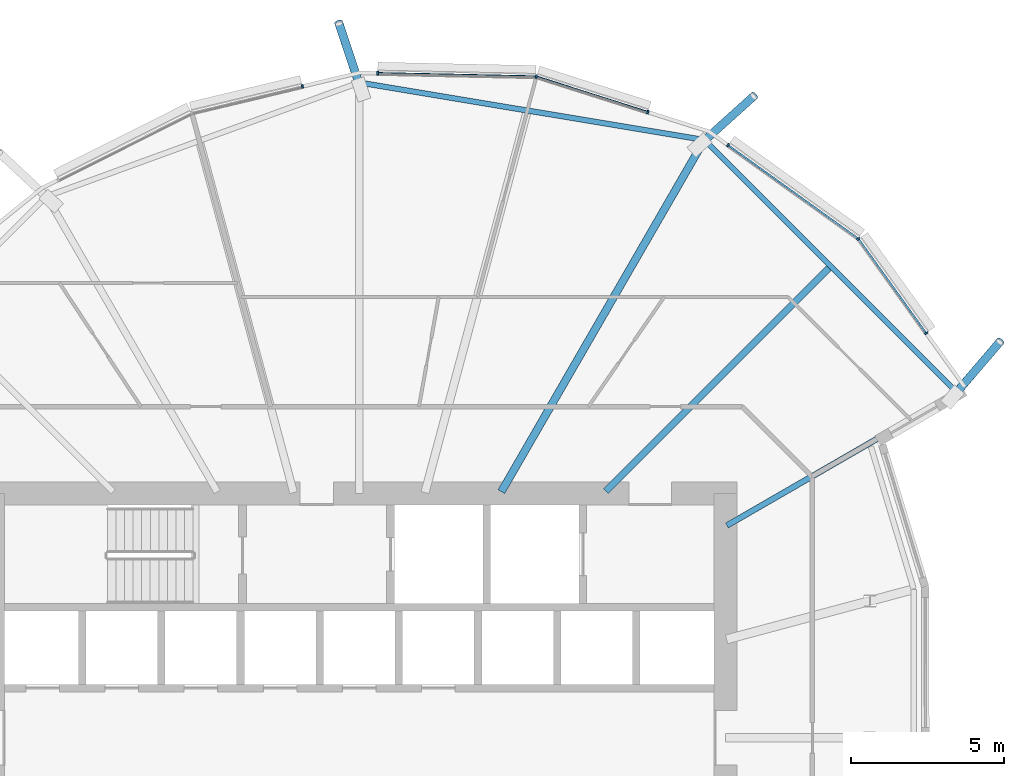
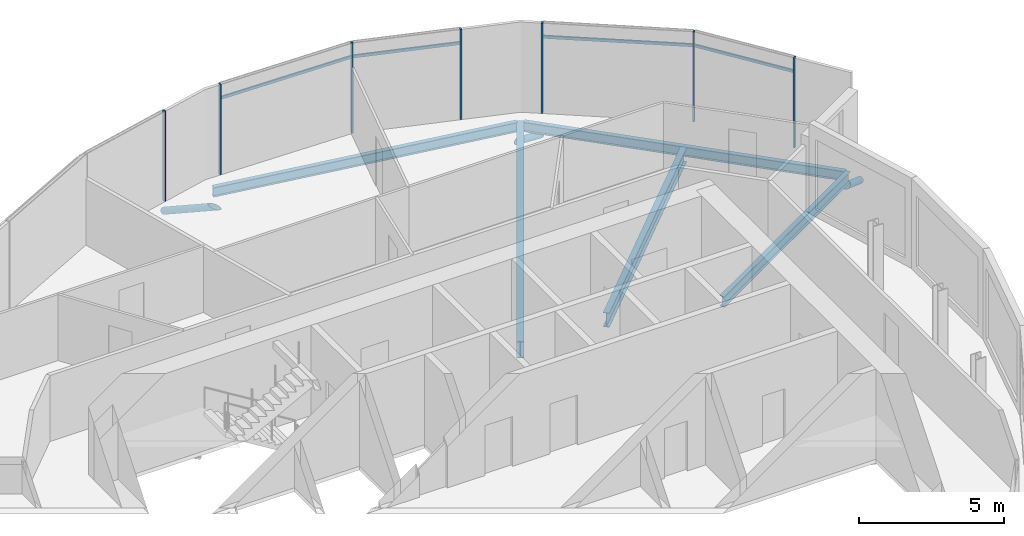
# One storey, part 18 of 38: 14 members, 5 beams, 1 element without a shape of its own.
"""IFC4 building model written with IfcOpenShell, lengths in metres."""

import ifcopenshell
import ifcopenshell.guid

model = None  # the IFC model being written
_history = None  # IfcOwnerHistory: only IFC2X3 demands one
_inside = {}  # id of a spatial element -> (the spatial element, [elements in it])
_under = {}  # id of a project, library or spatial element -> (it, [spatial elements below it])
_declared = {}  # id of a project -> (the project, [libraries it declares])
_typed = {}  # id of a type object -> (the type object, [elements of that type])
_made_of = {}  # id of a material, layer set ... -> (it, [elements and type objects made of it])


def new_model(schema):
    """Start an empty IFC model of exactly this schema.

    Asked for "IFC4X3", IfcOpenShell would pick the latest addendum, in which some entities
    have other attributes; the version numbers below select the first issue.
    IFC2X3 requires an IfcOwnerHistory on every rooted entity: one is made here for all.
    """
    global model, _history
    if schema == "IFC4X3":
        model = ifcopenshell.file(schema_version=(4, 3, 0, 0))
    else:
        model = ifcopenshell.file(schema=schema)
    _inside.clear()
    _under.clear()
    _declared.clear()
    _typed.clear()
    _made_of.clear()
    _history = None
    if model.schema == "IFC2X3":
        org = make("IfcOrganization", Name="unknown")
        user = make(
            "IfcPersonAndOrganization",
            ThePerson=make("IfcPerson", FamilyName="unknown"),
            TheOrganization=org,
        )
        app = make(
            "IfcApplication",
            ApplicationDeveloper=org,
            Version="unknown",
            ApplicationFullName="unknown",
            ApplicationIdentifier="unknown",
        )
        _history = make(
            "IfcOwnerHistory",
            OwningUser=user,
            OwningApplication=app,
            ChangeAction="ADDED",
            CreationDate=0,
        )
    return model


def make(cls, **values):
    """One entity of the class cls with the attributes given. An attribute that is None is left unset."""
    return model.create_entity(
        cls, **{name: value for name, value in values.items() if value is not None}
    )


def rooted(cls, **values):
    """An entity with a GlobalId (a new one), such as an element, a storey or a relation."""
    return make(cls, GlobalId=ifcopenshell.guid.new(), OwnerHistory=_history, **values)


def si_unit(unit_type, name, prefix=None):
    """IfcSIUnit, for example si_unit("LENGTHUNIT", "METRE", prefix="MILLI")."""
    return make("IfcSIUnit", UnitType=unit_type, Prefix=prefix, Name=name)


def assignment(units):
    """IfcUnitAssignment: the units of a project."""
    return None if units is None else make("IfcUnitAssignment", Units=units)


def point(xyz):
    """IfcCartesianPoint."""
    return None if xyz is None else make("IfcCartesianPoint", Coordinates=xyz)


def direction(xyz):
    """IfcDirection."""
    return None if xyz is None else make("IfcDirection", DirectionRatios=xyz)


def frame(location, z_axis=None, x_axis=None):
    """IfcAxis2Placement3D, a coordinate frame: its origin and axes. An axis left out is left unset."""
    return make(
        "IfcAxis2Placement3D",
        Location=point(location),
        Axis=direction(z_axis),
        RefDirection=direction(x_axis),
    )


def frame_2d(location, x_axis=None):
    """IfcAxis2Placement2D, a coordinate frame in the plane: its origin and x axis."""
    return make(
        "IfcAxis2Placement2D", Location=point(location), RefDirection=direction(x_axis)
    )


def origin():
    """The frame at (0, 0, 0) with its axes left unset."""
    return frame((0.0, 0.0, 0.0))


def origin_2d():
    """The frame at (0, 0) in the plane with its x axis left unset."""
    return frame_2d((0.0, 0.0))


def place(relative_to, where):
    """IfcLocalPlacement: puts the frame where relative to a parent placement (None: the world)."""
    return make(
        "IfcLocalPlacement", PlacementRelTo=relative_to, RelativePlacement=where
    )


def context(
    kind, dimensions, precision=None, world=None, true_north=None, identifier=None
):
    """IfcGeometricRepresentationContext, for example the 3D "Model" context."""
    return make(
        "IfcGeometricRepresentationContext",
        ContextIdentifier=identifier,
        ContextType=kind,
        CoordinateSpaceDimension=dimensions,
        Precision=precision,
        WorldCoordinateSystem=world,
        TrueNorth=true_north,
    )


def subcontext(parent, identifier, kind, view, scale=None):
    """IfcGeometricRepresentationSubContext, for example "Body" below "Model"."""
    return make(
        "IfcGeometricRepresentationSubContext",
        ContextIdentifier=identifier,
        ContextType=kind,
        ParentContext=parent,
        TargetScale=scale,
        TargetView=view,
    )


def project(units=None, contexts=None):
    """IfcProject with its units and contexts."""
    return rooted(
        "IfcProject",
        Name="project",
        RepresentationContexts=contexts,
        UnitsInContext=assignment(units),
    )


def spatial(cls, under=None, at=None, **own):
    """A site, building, storey or space (cls), placed at a placement, below another one or the project."""
    s = rooted(cls, ObjectPlacement=at, **own)
    if under is not None:
        _under.setdefault(under.id(), (under, []))[1].append(s)
    return s


def profile(cls, at=None, kind="AREA", **sizes):
    """A parametric profile (cls). Its sizes go by their IFC names, for example OverallWidth=200.0."""
    return make(cls, ProfileType=kind, Position=at, **sizes)


def rectangle(**sizes):
    """IfcRectangleProfileDef."""
    return profile("IfcRectangleProfileDef", **sizes)


def hollow_circle(**sizes):
    """IfcCircleHollowProfileDef."""
    return profile("IfcCircleHollowProfileDef", **sizes)


def i_section(**sizes):
    """IfcIShapeProfileDef."""
    return profile("IfcIShapeProfileDef", **sizes)


def extrude(swept, where, along, depth):
    """IfcExtrudedAreaSolid: the profile swept, set in the frame where, extruded along a direction by depth."""
    return make(
        "IfcExtrudedAreaSolid",
        SweptArea=swept,
        Position=where,
        ExtrudedDirection=direction(along),
        Depth=depth,
    )


def clip(a, b, op="DIFFERENCE"):
    """IfcBooleanClippingResult: the solid a cut by the half space b."""
    return make(
        "IfcBooleanClippingResult", Operator=op, FirstOperand=a, SecondOperand=b
    )


def halfspace(plane, agree):
    """IfcHalfSpaceSolid: all space on one side of the plane z = 0 of the frame plane."""
    return make(
        "IfcHalfSpaceSolid",
        BaseSurface=make("IfcPlane", Position=plane),
        AgreementFlag=agree,
    )


def shape(context_of_items, identifier, shape_type, items):
    """IfcShapeRepresentation: the items that make up one representation, for example the "Body"."""
    return make(
        "IfcShapeRepresentation",
        ContextOfItems=context_of_items,
        RepresentationIdentifier=identifier,
        RepresentationType=shape_type,
        Items=items,
    )


def material(Name=None, Category=None):
    """IfcMaterial."""
    return make("IfcMaterial", Name=Name, Category=Category)


def material_profile(
    of_material, cross_section, Name=None, Category=None, Priority=None
):
    """IfcMaterialProfile: a cross section and its material."""
    return make(
        "IfcMaterialProfile",
        Name=Name,
        Material=of_material,
        Profile=cross_section,
        Priority=Priority,
        Category=Category,
    )


def profile_set(profiles, Name=None, composite=None):
    """IfcMaterialProfileSet."""
    return make(
        "IfcMaterialProfileSet",
        Name=Name,
        MaterialProfiles=profiles,
        CompositeProfile=composite,
    )


def made_of(thing, what):
    """Note that an element or type object is made of a material, layer set ...; save() writes the relation."""
    if what is not None:
        _made_of.setdefault(what.id(), (what, []))[1].append(thing)
    return thing


def type_object(cls, material=None, **own):
    """A type object (cls), such as IfcWallType, which elements share."""
    return made_of(rooted(cls, **own), material)


def element(
    cls,
    number,
    at=None,
    inside=None,
    cuts=None,
    type_object=None,
    material=None,
    context=None,
    identifier="Body",
    shape_type=None,
    held_by="IfcProductDefinitionShape",
    body=None,
    shapes=None,
    **own,
):
    """One element of the class cls, such as IfcWall. Its Tag is "e" and its number.

    at: its placement. inside: the storey or other place that contains it. cuts: it is an
    opening in that element (IfcRelVoidsElement). A single representation is given by context,
    identifier, shape_type and body (its items); several are given by shapes. held_by: the class
    of the entity that holds the representations. save() writes the other relations.
    """
    e = rooted(cls, Tag="e%d" % number, ObjectPlacement=at, **own)
    if body is not None:
        shapes = [shape(context, identifier, shape_type, body)]
    if shapes is not None:
        e.Representation = make(held_by, Representations=shapes)
    if inside is not None:
        _inside.setdefault(inside.id(), (inside, []))[1].append(e)
    if cuts is not None:
        rooted(
            "IfcRelVoidsElement", RelatingBuildingElement=cuts, RelatedOpeningElement=e
        )
    if type_object is not None:
        _typed.setdefault(type_object.id(), (type_object, []))[1].append(e)
    return made_of(e, material)


def aggregate(whole, parts):
    """IfcRelAggregates: a whole, such as a stair, and the parts it consists of."""
    return rooted("IfcRelAggregates", RelatingObject=whole, RelatedObjects=parts)


def save(model, path):
    """Write the relations noted so far, then the file.

    IfcRelAggregates (storeys below a building ...), IfcRelContainedInSpatialStructure (elements
    in a storey), IfcRelDefinesByType, IfcRelAssociatesMaterial and IfcRelDeclares: one each for
    every whole, place, type object, material and project.
    """
    for whole, parts in _under.values():
        aggregate(whole, parts)
    for where, things in _inside.values():
        rooted(
            "IfcRelContainedInSpatialStructure",
            RelatedElements=things,
            RelatingStructure=where,
        )
    for kind, things in _typed.values():
        rooted("IfcRelDefinesByType", RelatedObjects=things, RelatingType=kind)
    for what, things in _made_of.values():
        rooted("IfcRelAssociatesMaterial", RelatedObjects=things, RelatingMaterial=what)
    for by, libraries in _declared.values():
        rooted("IfcRelDeclares", RelatingContext=by, RelatedDefinitions=libraries)
    model.write(path)


model = new_model("IFC4")

# Units and contexts
model_context = context("Model", 3, precision=1e-05, world=origin(), true_north=direction((0.0, 1.0)))
body_context = subcontext(model_context, "Body", "Model", "MODEL_VIEW")
ifc_project = project(units=[si_unit("LENGTHUNIT", "METRE"), si_unit("AREAUNIT", "SQUARE_METRE"), si_unit("VOLUMEUNIT", "CUBIC_METRE"), si_unit("PLANEANGLEUNIT", "RADIAN"), si_unit("MASSUNIT", "GRAM", prefix="KILO")], contexts=[model_context])

# Site, building, storey
site_placement = place(None, origin())
site = spatial("IfcSite", under=ifc_project, at=site_placement, CompositionType="ELEMENT")
building_placement = place(site_placement, origin())
building = spatial("IfcBuilding", under=site, at=building_placement, Name="Rimbun Link Towers", CompositionType="ELEMENT")
storey_placement = place(building_placement, frame((0.0, 0.0, 119.60009765625)))
storey = spatial("IfcBuildingStorey", under=building, at=storey_placement, Name="L29", CompositionType="ELEMENT", Elevation=119.60009765625)

# Curtain wall, members
ifc_material_1 = material(Name="Aluminium 6063-T6 and low-iron glass", Category="aluminium")
curtain_wall_type = type_object("IfcCurtainWallType", Name="CW1-Z2 unitised vision wall (zone 2)", PredefinedType="NOTDEFINED", material=ifc_material_1)
curtain_wall_placement = place(storey_placement, origin())
curtain_wall = element("IfcCurtainWall", 1, at=curtain_wall_placement, inside=storey, type_object=curtain_wall_type, Name="CW1 L29 T2", PredefinedType="NOTDEFINED")
ifc_material_2 = material(Name="Aluminium 6063-T6", Category="aluminium")
ifc_material_profile_1 = material_profile(ifc_material_2, rectangle(XDim=0.1201171875, YDim=0.06005859375, at=origin_2d()), Name="MULLION 60X120")
ifc_profile_set_1 = profile_set([ifc_material_profile_1], Name="Aluminium 6063-T6")
member_type_1 = type_object("IfcMemberType", Name="CW1 mullion 60X120", PredefinedType="MULLION", material=ifc_profile_set_1)
member_1_placement = place(storey_placement, frame((43.832763671875, 19.42333984375, 0.0), z_axis=(0.0, 0.0, 1.0), x_axis=(0.583004026034, 0.812469264421, 0.0)))
member_1 = element("IfcMember", 2, at=member_1_placement, type_object=member_type_1, Name="CW1 mullion", PredefinedType="MULLION", context=body_context, shape_type="SweptSolid", body=[
    extrude(rectangle(XDim=0.1201171875, YDim=0.06005859375, at=origin_2d()), origin(), (0.0, 0.0, 1.0), 3.7998046875),
])
member_2_placement = place(storey_placement, frame((48.10595703125, 16.35595703125, 0.0), z_axis=(0.0, 0.0, 1.0), x_axis=(0.707106781187, 0.707106781187, 0.0)))
member_2 = element("IfcMember", 3, at=member_2_placement, type_object=member_type_1, Name="CW1 mullion", PredefinedType="MULLION", context=body_context, shape_type="SweptSolid", body=[
    extrude(rectangle(XDim=0.1201171875, YDim=0.06005859375, at=origin_2d()), origin(), (0.0, 0.0, 1.0), 3.7998046875),
])
member_3_placement = place(storey_placement, frame((37.5498046875, 21.66748046875, 0.0), z_axis=(0.0, 0.0, 1.0), x_axis=(0.163751300484, 0.98650165311, 0.0)))
member_3 = element("IfcMember", 4, at=member_3_placement, type_object=member_type_1, Name="CW1 mullion", PredefinedType="MULLION", context=body_context, shape_type="SweptSolid", body=[
    extrude(rectangle(XDim=0.1201171875, YDim=0.06005859375, at=origin_2d()), origin(), (0.0, 0.0, 1.0), 3.7998046875),
])
member_4_placement = place(storey_placement, frame((41.205322265625, 20.505615234375, 0.0), z_axis=(0.0, 0.0, 1.0), x_axis=(0.303073433186, 0.952967205153, 0.0)))
member_4 = element("IfcMember", 5, at=member_4_placement, type_object=member_type_1, Name="CW1 mullion", PredefinedType="MULLION", context=body_context, shape_type="SweptSolid", body=[
    extrude(rectangle(XDim=0.1201171875, YDim=0.06005859375, at=origin_2d()), origin(), (0.0, 0.0, 1.0), 3.7998046875),
])
member_5_placement = place(storey_placement, frame((32.35107421875, 21.777587890625, 0.0), z_axis=(0.0, 0.0, 1.0), x_axis=(0.02106649948, 0.999778076675, 0.0)))
member_5 = element("IfcMember", 6, at=member_5_placement, type_object=member_type_1, Name="CW1 mullion", PredefinedType="MULLION", context=body_context, shape_type="SweptSolid", body=[
    extrude(rectangle(XDim=0.1201171875, YDim=0.06005859375, at=origin_2d()), origin(), (0.0, 0.0, 1.0), 3.7998046875),
])
member_6_placement = place(storey_placement, frame((29.88818359375, 21.3466796875, 0.0), z_axis=(0.0, 0.0, 1.0), x_axis=(-0.232603182737, 0.972571724543, 0.0)))
member_6 = element("IfcMember", 7, at=member_6_placement, type_object=member_type_1, Name="CW1 mullion", PredefinedType="MULLION", context=body_context, shape_type="SweptSolid", body=[
    extrude(rectangle(XDim=0.1201171875, YDim=0.06005859375, at=origin_2d()), origin(), (0.0, 0.0, 1.0), 3.7998046875),
])
member_7_placement = place(storey_placement, frame((50.328125, 13.2607421875, 0.0), z_axis=(0.0, 0.0, 1.0), x_axis=(0.812469264421, 0.583004026034, 0.0)))
member_7 = element("IfcMember", 8, at=member_7_placement, type_object=member_type_1, Name="CW1 mullion", PredefinedType="MULLION", context=body_context, shape_type="SweptSolid", body=[
    extrude(rectangle(XDim=0.1201171875, YDim=0.06005859375, at=origin_2d()), origin(), (0.0, 0.0, 1.0), 3.7998046875),
])
ifc_material_3 = material(Name="Aluminium 6063-T6", Category="aluminium")
ifc_material_profile_2 = material_profile(ifc_material_3, rectangle(XDim=0.06005859375, YDim=0.1201171875, at=origin_2d()), Name="TRANSOM 60X120")
ifc_profile_set_2 = profile_set([ifc_material_profile_2], Name="Aluminium 6063-T6")
member_type_2 = type_object("IfcMemberType", Name="CW1 transom 60X120", PredefinedType="USERDEFINED", material=ifc_profile_set_2)
member_8_placement = place(storey_placement, frame((43.85595703125, 19.404296875, 3.199951171875), z_axis=(0.812460270019, -0.583016560348, 0.0), x_axis=(0.583016560348, 0.812460270019, 0.0)))
member_8 = element("IfcMember", 9, at=member_8_placement, type_object=member_type_2, Name="CW1 transom", ObjectType="TRANSOM", PredefinedType="USERDEFINED", context=body_context, shape_type="SweptSolid", body=[
    extrude(rectangle(XDim=0.06005859375, YDim=0.1201171875, at=origin_2d()), origin(), (0.0, 0.0, 1.0), 5.1904296875),
])
member_9_placement = place(storey_placement, frame((37.586181640625, 21.654541015625, 3.199951171875), z_axis=(0.952960668818, -0.303093984907, 0.0), x_axis=(0.303093984907, 0.952960668818, 0.0)))
member_9 = element("IfcMember", 10, at=member_9_placement, type_object=member_type_2, Name="CW1 transom", ObjectType="TRANSOM", PredefinedType="USERDEFINED", context=body_context, shape_type="SweptSolid", body=[
    extrude(rectangle(XDim=0.06005859375, YDim=0.1201171875, at=origin_2d()), origin(), (0.0, 0.0, 1.0), 3.767333984375),
])
member_10_placement = place(storey_placement, frame((32.381103515625, 21.77490234375, 3.199951171875), z_axis=(0.999778846236, -0.02102994575, 0.0), x_axis=(0.02102994575, 0.999778846236, 0.0)))
member_10 = element("IfcMember", 11, at=member_10_placement, type_object=member_type_2, Name="CW1 transom", ObjectType="TRANSOM", PredefinedType="USERDEFINED", context=body_context, shape_type="SweptSolid", body=[
    extrude(rectangle(XDim=0.06005859375, YDim=0.1201171875, at=origin_2d()), origin(), (0.0, 0.0, 1.0), 5.13134765625),
])
member_11_placement = place(storey_placement, frame((48.128173828125, 16.322998046875, 3.199951171875), z_axis=(0.582990310005, -0.812479106464, 0.0), x_axis=(0.812479106464, 0.582990310005, 0.0)))
member_11 = element("IfcMember", 12, at=member_11_placement, type_object=member_type_2, Name="CW1 transom", ObjectType="TRANSOM", PredefinedType="USERDEFINED", context=body_context, shape_type="SweptSolid", body=[
    extrude(rectangle(XDim=0.06005859375, YDim=0.1201171875, at=origin_2d()), origin(), (0.0, 0.0, 1.0), 3.740478515625),
])
aggregate(curtain_wall, [member_1, member_2, member_3, member_4, member_5, member_6, member_7, member_8, member_9, member_10, member_11])

# Members
ifc_material_4 = material(Name="Steel S355J2H", Category="steel")
ifc_material_profile_3 = material_profile(ifc_material_4, hollow_circle(Radius=0.136474609375, WallThickness=0.012451171875, at=origin_2d()), Name="CHS 273x12.5")
ifc_profile_set_3 = profile_set([ifc_material_profile_3], Name="Steel S355J2H")
member_type_3 = type_object("IfcMemberType", Name="Floor edge link CHS 273x12.5", PredefinedType="BRACE", material=ifc_profile_set_3)
member_12_placement = place(storey_placement, frame((43.035400390625, 19.547119140625, -0.96240234375), z_axis=(0.649584096546, 0.584616174751, -0.486070395863), x_axis=(-0.668958718088, 0.743299558384, 0.0)))
element("IfcMember", 13, at=member_12_placement, inside=storey, type_object=member_type_3, Name="Floor edge link T2 L29 01", PredefinedType="BRACE", context=body_context, shape_type="Clipping", body=[
    clip(extrude(hollow_circle(Radius=0.136474609375, WallThickness=0.012451171875, at=origin_2d()), frame((0.0, 0.0, -0.511474609375)), (0.0, 0.0, 1.0), 3.078125), halfspace(frame((0.0, 0.0, -0.240234375), z_axis=(0.0, 0.873919658931, -0.486070395863)), False)),
])
member_13_placement = place(storey_placement, frame((31.75, 21.423095703125, -0.96337890625), z_axis=(-0.28013410767, 0.835265020064, -0.473135528128), x_axis=(-0.948098556468, -0.317976614271, 0.0)))
element("IfcMember", 14, at=member_13_placement, inside=storey, type_object=member_type_3, Name="Floor edge link T2 L29 03", PredefinedType="BRACE", context=body_context, shape_type="Clipping", body=[
    clip(extrude(hollow_circle(Radius=0.136474609375, WallThickness=0.012451171875, at=origin_2d()), frame((0.0, 0.0, -0.529296875)), (0.0, 0.0, 1.0), 2.953125), halfspace(frame((0.0, 0.0, -0.2490234375), z_axis=(0.0, 0.88098965489, -0.473135528128)), False)),
])
member_14_placement = place(storey_placement, frame((51.297119140625, 11.285400390625, -0.730224609375), z_axis=(0.557844360043, 0.652086107599, -0.513413457405), x_axis=(-0.759881909429, 0.65006113845, 0.0)))
element("IfcMember", 15, at=member_14_placement, inside=storey, type_object=member_type_3, Name="Floor edge link T2 L29 23", PredefinedType="BRACE", context=body_context, shape_type="Clipping", body=[
    clip(extrude(hollow_circle(Radius=0.136474609375, WallThickness=0.012451171875, at=origin_2d()), frame((0.0, 0.0, -0.475830078125)), (0.0, 0.0, 1.0), 3.10791015625), halfspace(frame((0.0, 0.0, -0.223388671875), z_axis=(0.0, 0.858141376322, -0.513413457405)), False)),
])

# Beams
ifc_material_5 = material(Name="Steel S355J2", Category="steel")
ifc_material_profile_4 = material_profile(ifc_material_5, i_section(OverallWidth=0.177978515625, OverallDepth=0.406494140625, WebThickness=0.0078125, FlangeThickness=0.0126953125, at=origin_2d()), Name="UB 406x178x60")
ifc_profile_set_4 = profile_set([ifc_material_profile_4], Name="Steel S355J2")
beam_type_1 = type_object("IfcBeamType", Name="UB 406x178x60", PredefinedType="BEAM", material=ifc_profile_set_4)
beam_1_placement = place(storey_placement, frame((42.92578125, 19.61279296875, -0.36328125), z_axis=(-0.986426307152, 0.164204569239, 0.0), x_axis=(-0.164204569239, -0.986426307152, 0.0)))
element("IfcBeam", 16, at=beam_1_placement, inside=storey, type_object=beam_type_1, Name="Edge beam T2 L29 01-03", PredefinedType="BEAM", context=body_context, shape_type="SweptSolid", body=[
    extrude(i_section(OverallWidth=0.177978515625, OverallDepth=0.406494140625, WebThickness=0.0078125, FlangeThickness=0.0126953125, at=origin_2d()), origin(), (0.0, 0.0, 1.0), 11.2001953125),
])
beam_2_placement = place(storey_placement, frame((51.27001953125, 11.380615234375, -0.36328125), z_axis=(-0.707106781187, 0.707106781187, 0.0), x_axis=(-0.707106781187, -0.707106781187, 0.0)))
element("IfcBeam", 17, at=beam_2_placement, inside=storey, type_object=beam_type_1, Name="Edge beam T2 L29 23-01", PredefinedType="BEAM", context=body_context, shape_type="SweptSolid", body=[
    extrude(i_section(OverallWidth=0.177978515625, OverallDepth=0.406494140625, WebThickness=0.0078125, FlangeThickness=0.0126953125, at=origin_2d()), origin(), (0.0, 0.0, 1.0), 11.477783203125),
])
ifc_material_6 = material(Name="Steel S355J2", Category="steel")
ifc_material_profile_5 = material_profile(ifc_material_6, i_section(OverallWidth=0.18994140625, OverallDepth=0.453369140625, WebThickness=0.008544921875, FlangeThickness=0.0126953125, at=origin_2d()), Name="UB 457x191x67")
ifc_profile_set_5 = profile_set([ifc_material_profile_5], Name="Steel S355J2")
beam_type_2 = type_object("IfcBeamType", Name="UB 457x191x67", PredefinedType="BEAM", material=ifc_profile_set_5)
beam_3_placement = place(storey_placement, frame((43.79833984375, 6.9560546875, -0.38671875), z_axis=(0.866031528113, 0.499989392202, 0.0), x_axis=(-0.499989392202, 0.866031528113, 0.0)))
element("IfcBeam", 18, at=beam_3_placement, inside=storey, type_object=beam_type_2, Name="Radial beam T2 L29 23", PredefinedType="BEAM", context=body_context, shape_type="SweptSolid", body=[
    extrude(i_section(OverallWidth=0.18994140625, OverallDepth=0.453369140625, WebThickness=0.008544921875, FlangeThickness=0.0126953125, at=origin_2d()), origin(), (0.0, 0.0, 1.0), 8.708740234375),
])
ifc_material_7 = material(Name="Steel S355J2", Category="steel")
ifc_material_profile_6 = material_profile(ifc_material_7, i_section(OverallWidth=0.2275390625, OverallDepth=0.6025390625, WebThickness=0.010498046875, FlangeThickness=0.014892578125, at=origin_2d()), Name="UB 610x229x101")
ifc_profile_set_6 = profile_set([ifc_material_profile_6], Name="Steel S355J2")
beam_type_3 = type_object("IfcBeamType", Name="UB 610x229x101", PredefinedType="BEAM", material=ifc_profile_set_6)
beam_4_placement = place(storey_placement, frame((39.831298828125, 8.081298828125, -0.46142578125), z_axis=(0.707106781187, 0.707106781187, 0.0), x_axis=(-0.707106781187, 0.707106781187, 0.0)))
element("IfcBeam", 19, at=beam_4_placement, inside=storey, type_object=beam_type_3, Name="Radial beam T2 L29 00", PredefinedType="BEAM", context=body_context, shape_type="SweptSolid", body=[
    extrude(i_section(OverallWidth=0.2275390625, OverallDepth=0.6025390625, WebThickness=0.010498046875, FlangeThickness=0.014892578125, at=origin_2d()), origin(), (0.0, 0.0, 1.0), 10.33154296875),
])
ifc_material_8 = material(Name="Steel S355J2", Category="steel")
ifc_material_profile_7 = material_profile(ifc_material_8, i_section(OverallWidth=0.253662109375, OverallDepth=0.68359375, WebThickness=0.012451171875, FlangeThickness=0.01904296875, at=origin_2d()), Name="UB 686x254x140")
ifc_profile_set_7 = profile_set([ifc_material_profile_7], Name="Steel S355J2")
beam_type_4 = type_object("IfcBeamType", Name="UB 686x254x140", PredefinedType="BEAM", material=ifc_profile_set_7)
beam_5_placement = place(storey_placement, frame((36.406005859375, 8.064208984375, -0.501953125), z_axis=(0.499982340756, 0.866035599114, 0.0), x_axis=(-0.866035599114, 0.499982340756, 0.0)))
element("IfcBeam", 20, at=beam_5_placement, inside=storey, type_object=beam_type_4, Name="Radial beam T2 L29 01", PredefinedType="BEAM", context=body_context, shape_type="SweptSolid", body=[
    extrude(i_section(OverallWidth=0.253662109375, OverallDepth=0.68359375, WebThickness=0.012451171875, FlangeThickness=0.01904296875, at=origin_2d()), origin(), (0.0, 0.0, 1.0), 13.30908203125),
])

save(model, "model.ifc")
